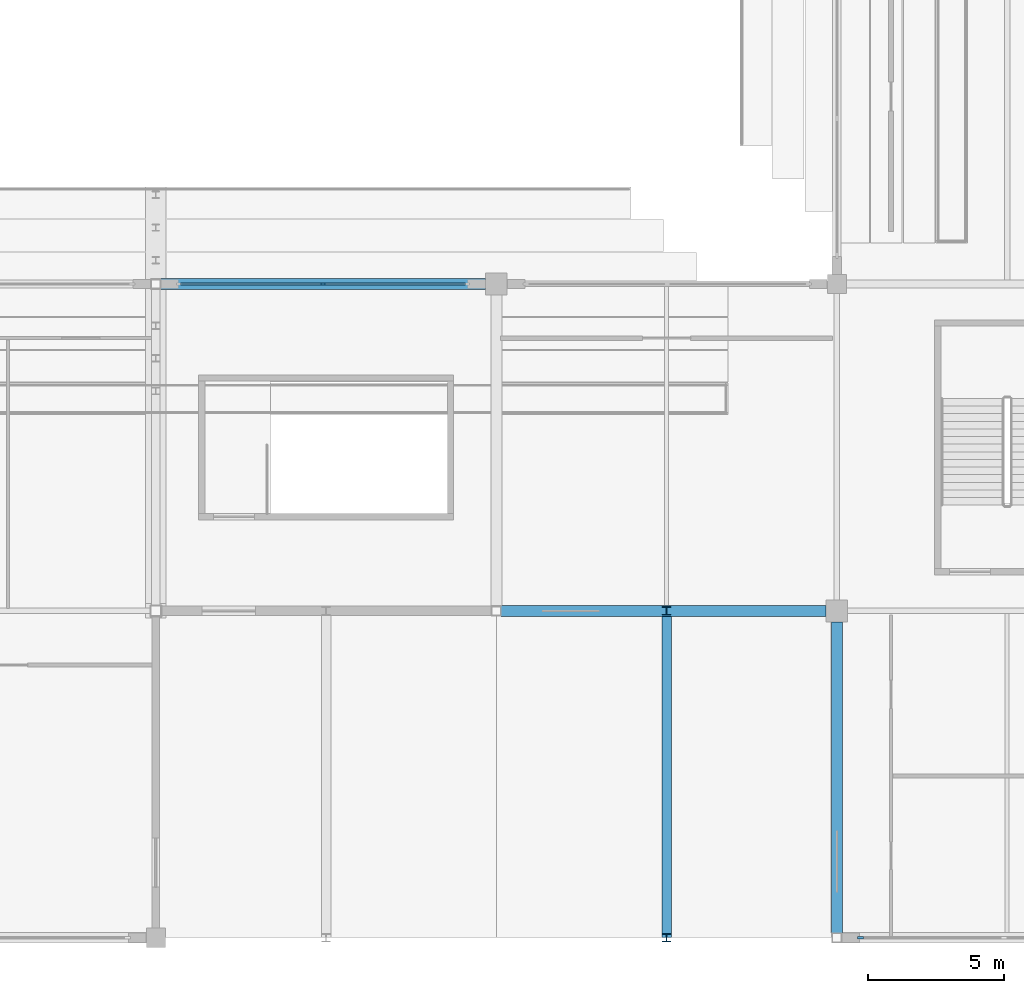
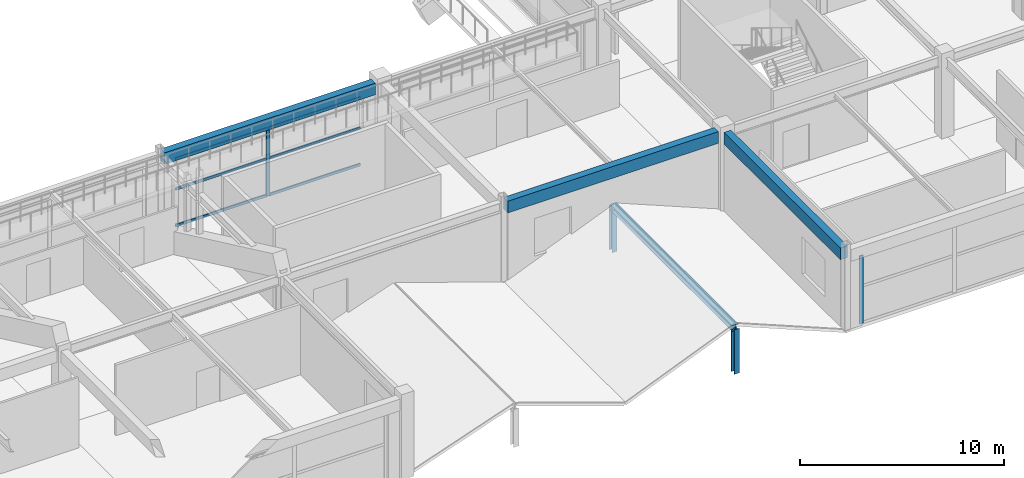
# One storey, part 48 of 128: 11 members, 3 beams, 2 elements without a shape of their own.
"""IFC4 building model written with IfcOpenShell, lengths in metres."""

from ifc_helpers import new_model, si_unit, direction, frame, origin, origin_2d, place, context, subcontext, project, spatial, rectangle, i_section, extrude, material, layer, layer_set, material_profile, profile_set, type_object, element, aggregate, save


model = new_model("IFC4")

# Units and contexts
model_context = context("Model", 3, precision=1e-05, world=origin(), true_north=direction((0.0, 1.0)))
body_context = subcontext(model_context, "Body", "Model", "MODEL_VIEW")
ifc_project = project(units=[si_unit("LENGTHUNIT", "METRE"), si_unit("AREAUNIT", "SQUARE_METRE"), si_unit("VOLUMEUNIT", "CUBIC_METRE"), si_unit("PLANEANGLEUNIT", "RADIAN"), si_unit("MASSUNIT", "GRAM", prefix="KILO")], contexts=[model_context])

# Site, building, storey
site_placement = place(None, origin())
site = spatial("IfcSite", under=ifc_project, at=site_placement, CompositionType="ELEMENT")
building_placement = place(site_placement, origin())
building = spatial("IfcBuilding", under=site, at=building_placement, Name="Kazenohara Klinker Stadium", CompositionType="ELEMENT")
storey_placement = place(building_placement, frame((0.0, 0.0, 15.300048828125)))
storey = spatial("IfcBuildingStorey", under=building, at=storey_placement, Name="L03", CompositionType="ELEMENT", Elevation=15.300048828125)

# Beams
ifc_material_1 = material(Name="Concrete C40/50", Category="concrete")
ifc_material_profile_1 = material_profile(ifc_material_1, rectangle(XDim=0.39990234375, YDim=0.699951171875, at=origin_2d()), Name="RC-BM-400x700")
ifc_profile_set_1 = profile_set([ifc_material_profile_1], Name="Concrete C40/50")
beam_type = type_object("IfcBeamType", Name="BM-RC04", PredefinedType="BEAM", material=ifc_profile_set_1)
for number, where, z_axis, x_axis, name in (
    (1, (150.175048828125, 36.0, 4.409912109375), (1.0, 0.0, 0.0), (0.0, 1.0, 0.0), "Primary girder BG04 L03 13-14/D"),
    (2, (162.675048828125, 24.0, 4.409912109375), (1.0, 0.0, 0.0), (0.0, 1.0, 0.0), "Primary girder BG04 L03 14-15/C"),
):
    element("IfcBeam", number, at=place(storey_placement, frame(where, z_axis=z_axis, x_axis=x_axis)), inside=storey, type_object=beam_type, Name=name, PredefinedType="BEAM", context=body_context, shape_type="SweptSolid", body=[
        extrude(rectangle(XDim=0.39990234375, YDim=0.699951171875, at=origin_2d()), origin(), (0.0, 0.0, 1.0), 11.925048828125),
    ])
beam_placement = place(storey_placement, frame((175.0, 12.175048828125, 4.409912109375), z_axis=(0.0, 1.0, 0.0), x_axis=(-1.0, 0.0, 0.0)))
element("IfcBeam", 3, at=beam_placement, inside=storey, type_object=beam_type, Name="Primary girder BG04 L03 15/B-C", PredefinedType="BEAM", context=body_context, shape_type="SweptSolid", body=[
    extrude(rectangle(XDim=0.39990234375, YDim=0.699951171875, at=origin_2d()), origin(), (0.0, 0.0, 1.0), 11.425048828125),
])

# Curtain wall, member
ifc_material_2 = material(Name="Anodised aluminium and triple glazing", Category="aluminium")
ifc_layer_1 = layer(ifc_material_2, 0.159912109375)
ifc_layer_set_1 = layer_set([ifc_layer_1], Name="Anodised aluminium and triple glazing")
curtain_wall_type_1 = type_object("IfcCurtainWallType", Name="CW-SYS-01", PredefinedType="USERDEFINED", material=ifc_layer_set_1)
curtain_wall_1_placement = place(storey_placement, origin())
curtain_wall_1 = element("IfcCurtainWall", 4, at=curtain_wall_1_placement, inside=storey, type_object=curtain_wall_type_1, Name="Unitised facade curtain wall CW01 L03 X12-3", ObjectType="UNITISED CURTAIN WALL", PredefinedType="USERDEFINED")
ifc_material_3 = material(Name="Anodised aluminium 6063-T6", Category="aluminium")
ifc_material_profile_2 = material_profile(ifc_material_3, rectangle(XDim=0.074951171875, YDim=0.219970703125, at=origin_2d()), Name="ALU-MUL-75x220")
ifc_profile_set_2 = profile_set([ifc_material_profile_2], Name="Anodised aluminium 6063-T6")
member_type_1 = type_object("IfcMemberType", Name="CW-MUL-220", PredefinedType="MULLION", material=ifc_profile_set_2)
member_1_placement = place(storey_placement, frame((156.137451171875, 36.0, 0.0), z_axis=(0.0, 0.0, 1.0), x_axis=(0.0, 1.0, 0.0)))
member_1 = element("IfcMember", 5, at=member_1_placement, type_object=member_type_1, Name="CW01 mullion 2", PredefinedType="MULLION", context=body_context, shape_type="SweptSolid", body=[
    extrude(rectangle(XDim=0.074951171875, YDim=0.219970703125, at=origin_2d()), origin(), (0.0, 0.0, 1.0), 4.06005859375),
])

ifc_layer_2 = layer(ifc_material_2, 0.18994140625)
ifc_layer_set_2 = layer_set([ifc_layer_2], Name="Anodised aluminium and triple glazing")
curtain_wall_type_2 = type_object("IfcCurtainWallType", Name="CW-SYS-05", PredefinedType="USERDEFINED", material=ifc_layer_set_2)
curtain_wall_2_placement = place(storey_placement, origin())
curtain_wall_2 = element("IfcCurtainWall", 6, at=curtain_wall_2_placement, inside=storey, type_object=curtain_wall_type_2, Name="Unitised facade curtain wall CW05 L03 X14-1", ObjectType="UNITISED CURTAIN WALL", PredefinedType="USERDEFINED")
member_2_placement = place(storey_placement, frame((175.866455078125, 12.0, 0.0), z_axis=(0.0, 0.0, 1.0), x_axis=(0.0, 1.0, 0.0)))
member_2 = element("IfcMember", 7, at=member_2_placement, type_object=member_type_1, Name="CW05 mullion 1", PredefinedType="MULLION", context=body_context, shape_type="SweptSolid", body=[
    extrude(rectangle(XDim=0.074951171875, YDim=0.219970703125, at=origin_2d()), origin(), (0.0, 0.0, 1.0), 4.06005859375),
])
aggregate(curtain_wall_2, [member_2])

# Member
ifc_material_profile_3 = material_profile(ifc_material_3, rectangle(XDim=0.074951171875, YDim=0.159912109375, at=origin_2d()), Name="ALU-TRN-75x160")
ifc_profile_set_3 = profile_set([ifc_material_profile_3], Name="Anodised aluminium 6063-T6")
member_type_2 = type_object("IfcMemberType", Name="CW-TRN-160", PredefinedType="USERDEFINED", material=ifc_profile_set_3)
member_3_placement = place(storey_placement, frame((150.904052734375, 36.0, 0.037353515625), z_axis=(1.0, 0.0, 0.0), x_axis=(0.0, 1.0, 0.0)))
member_3 = element("IfcMember", 8, at=member_3_placement, type_object=member_type_2, Name="CW01 transom 1.1", ObjectType="TRANSOM", PredefinedType="USERDEFINED", context=body_context, shape_type="SweptSolid", body=[
    extrude(rectangle(XDim=0.074951171875, YDim=0.159912109375, at=origin_2d()), origin(), (0.0, 0.0, 1.0), 5.196044921875),
])

member_4_placement = place(storey_placement, frame((150.904052734375, 36.0, 2.23291015625), z_axis=(1.0, 0.0, 0.0), x_axis=(0.0, 1.0, 0.0)))
member_4 = element("IfcMember", 9, at=member_4_placement, type_object=member_type_2, Name="CW01 transom 1.2", ObjectType="TRANSOM", PredefinedType="USERDEFINED", context=body_context, shape_type="SweptSolid", body=[
    extrude(rectangle(XDim=0.074951171875, YDim=0.159912109375, at=origin_2d()), origin(), (0.0, 0.0, 1.0), 5.196044921875),
])

member_5_placement = place(storey_placement, frame((150.904052734375, 36.0, 4.0224609375), z_axis=(1.0, 0.0, 0.0), x_axis=(0.0, 1.0, 0.0)))
member_5 = element("IfcMember", 10, at=member_5_placement, type_object=member_type_2, Name="CW01 transom 1.3", ObjectType="TRANSOM", PredefinedType="USERDEFINED", context=body_context, shape_type="SweptSolid", body=[
    extrude(rectangle(XDim=0.074951171875, YDim=0.159912109375, at=origin_2d()), origin(), (0.0, 0.0, 1.0), 5.196044921875),
])

member_6_placement = place(storey_placement, frame((156.175048828125, 36.0, 0.037353515625), z_axis=(1.0, 0.0, 0.0), x_axis=(0.0, 1.0, 0.0)))
member_6 = element("IfcMember", 11, at=member_6_placement, type_object=member_type_2, Name="CW01 transom 2.1", ObjectType="TRANSOM", PredefinedType="USERDEFINED", context=body_context, shape_type="SweptSolid", body=[
    extrude(rectangle(XDim=0.074951171875, YDim=0.159912109375, at=origin_2d()), origin(), (0.0, 0.0, 1.0), 5.196044921875),
])

member_7_placement = place(storey_placement, frame((156.175048828125, 36.0, 2.23291015625), z_axis=(1.0, 0.0, 0.0), x_axis=(0.0, 1.0, 0.0)))
member_7 = element("IfcMember", 12, at=member_7_placement, type_object=member_type_2, Name="CW01 transom 2.2", ObjectType="TRANSOM", PredefinedType="USERDEFINED", context=body_context, shape_type="SweptSolid", body=[
    extrude(rectangle(XDim=0.074951171875, YDim=0.159912109375, at=origin_2d()), origin(), (0.0, 0.0, 1.0), 5.196044921875),
])

member_8_placement = place(storey_placement, frame((156.175048828125, 36.0, 4.0224609375), z_axis=(1.0, 0.0, 0.0), x_axis=(0.0, 1.0, 0.0)))
member_8 = element("IfcMember", 13, at=member_8_placement, type_object=member_type_2, Name="CW01 transom 2.3", ObjectType="TRANSOM", PredefinedType="USERDEFINED", context=body_context, shape_type="SweptSolid", body=[
    extrude(rectangle(XDim=0.074951171875, YDim=0.159912109375, at=origin_2d()), origin(), (0.0, 0.0, 1.0), 5.196044921875),
])

aggregate(curtain_wall_1, [member_1, member_3, member_4, member_5, member_6, member_7, member_8])

# Members
ifc_material_4 = material(Name="Steel S355", Category="steel")
ifc_material_profile_4 = material_profile(ifc_material_4, i_section(OverallWidth=0.35009765625, OverallDepth=0.35009765625, WebThickness=0.011962890625, FlangeThickness=0.01904296875, FilletRadius=0.012939453125, at=origin_2d()), Name="H-350x350x12x19")
ifc_profile_set_4 = profile_set([ifc_material_profile_4], Name="Steel S355")
member_type_3 = type_object("IfcMemberType", Name="MEM-CHD02", PredefinedType="CHORD", material=ifc_profile_set_4)
member_9_placement = place(storey_placement, frame((168.75, 12.0, 2.22998046875), z_axis=(0.0, 1.0, 0.0), x_axis=(-1.0, 0.0, 0.0)))
element("IfcMember", 14, at=member_9_placement, inside=storey, type_object=member_type_3, Name="Stepped pavilion gable ridge beam L03 14/B", PredefinedType="CHORD", context=body_context, shape_type="SweptSolid", body=[
    extrude(i_section(OverallWidth=0.35009765625, OverallDepth=0.35009765625, WebThickness=0.011962890625, FlangeThickness=0.01904296875, FilletRadius=0.012939453125, at=origin_2d()), origin(), (0.0, 0.0, 1.0), 12.0),
])
ifc_material_profile_5 = material_profile(ifc_material_4, i_section(OverallWidth=0.300048828125, OverallDepth=0.300048828125, WebThickness=0.010009765625, FlangeThickness=0.014892578125, FilletRadius=0.012939453125, at=origin_2d()), Name="H-300x300x10x15")
ifc_profile_set_5 = profile_set([ifc_material_profile_5], Name="Steel S355")
member_type_4 = type_object("IfcMemberType", Name="MEM-STR01", PredefinedType="STRUT", material=ifc_profile_set_5)
for number, where, z_axis, x_axis, name in (
    (15, (168.75, 12.0, -0.429931640625), (0.0, 0.0, 1.0), (1.0, 0.0, 0.0), "Stepped pavilion gable king-post L03 14/B S"),
    (16, (168.75, 24.0, -0.429931640625), (0.0, 0.0, 1.0), (1.0, 0.0, 0.0), "Stepped pavilion gable king-post L03 14/B N"),
):
    element("IfcMember", number, at=place(storey_placement, frame(where, z_axis=z_axis, x_axis=x_axis)), inside=storey, type_object=member_type_4, Name=name, PredefinedType="STRUT", context=body_context, shape_type="SweptSolid", body=[
        extrude(i_section(OverallWidth=0.300048828125, OverallDepth=0.300048828125, WebThickness=0.010009765625, FlangeThickness=0.014892578125, FilletRadius=0.012939453125, at=origin_2d()), origin(), (0.0, 0.0, 1.0), 2.659912109375),
    ])

save(model, "model.ifc")
